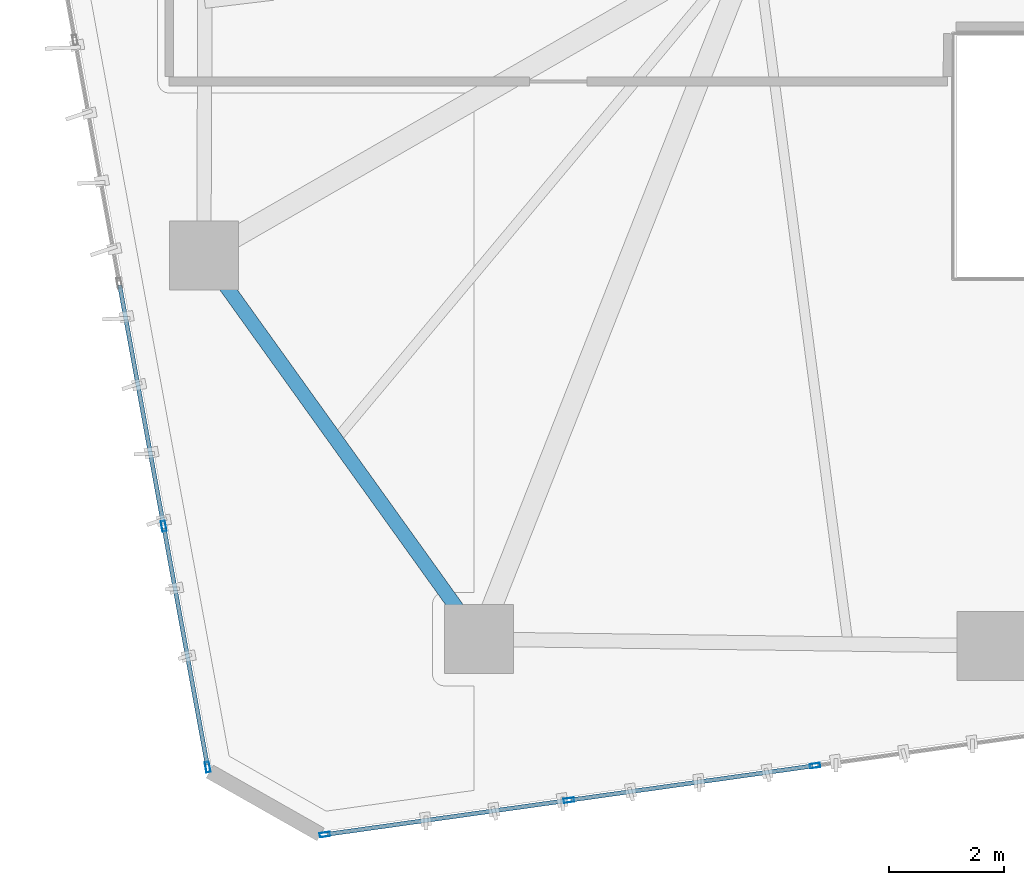
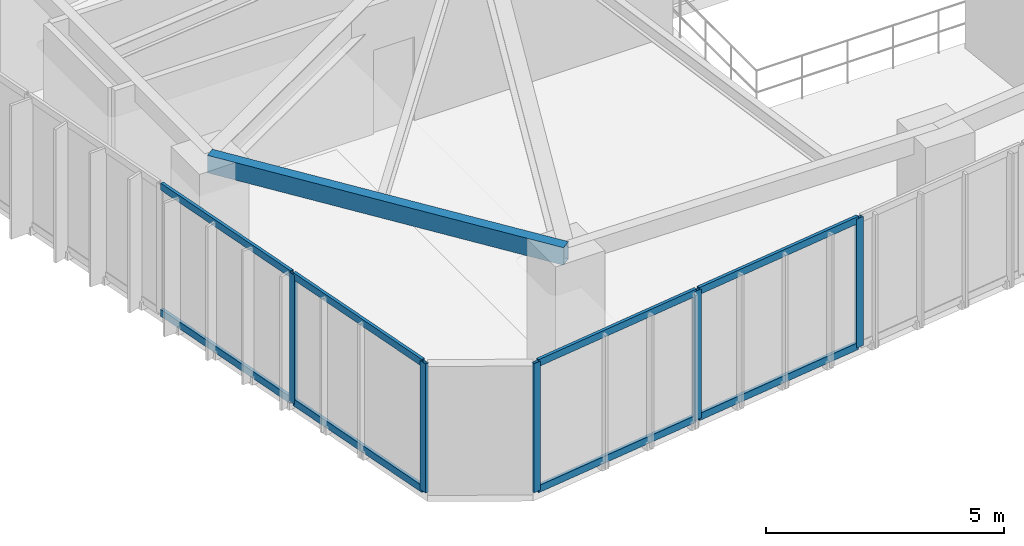
# One storey, part 2 of 24: 13 members, 1 beam, 2 elements without a shape of their own.
"""IFC4 building model written with IfcOpenShell, lengths in metres."""

from ifc_helpers import new_model, si_unit, direction, frame, origin, origin_2d, place, context, subcontext, project, spatial, hollow_rectangle, extrude, source, transform, mapped, material, layer, layer_set, material_profile, profile_set, type_object, type_shapes, element, aggregate, save


model = new_model("IFC4")

# Units and contexts
model_context = context("Model", 3, precision=1e-05, world=origin(), true_north=direction((0.0, 1.0)))
body_context = subcontext(model_context, "Body", "Model", "MODEL_VIEW")
ifc_project = project(units=[si_unit("LENGTHUNIT", "METRE"), si_unit("AREAUNIT", "SQUARE_METRE"), si_unit("VOLUMEUNIT", "CUBIC_METRE"), si_unit("PLANEANGLEUNIT", "RADIAN"), si_unit("MASSUNIT", "GRAM", prefix="KILO")], contexts=[model_context])

# Site, building, storey
site_placement = place(None, origin())
site = spatial("IfcSite", under=ifc_project, at=site_placement, CompositionType="ELEMENT")
building_placement = place(site_placement, origin())
building = spatial("IfcBuilding", under=site, at=building_placement, Name="Talar Marvaseh", CompositionType="ELEMENT")
storey_placement = place(building_placement, frame((0.0, 0.0, 114.60009765625)))
storey = spatial("IfcBuildingStorey", under=building, at=storey_placement, Name="L29", CompositionType="ELEMENT", Elevation=114.60009765625)

# Beam
ifc_material_1 = material(Name="Steel S355", Category="steel")
ifc_material_profile_1 = material_profile(ifc_material_1, hollow_rectangle(XDim=0.25, YDim=0.449951171875, WallThickness=0.01611328125, at=origin_2d()), Name="RHS450x250x16")
ifc_profile_set_1 = profile_set([ifc_material_profile_1], Name="Steel S355")
beam_type = type_object("IfcBeamType", Name="Zone 2 Perimeter Spandrel Beam RHS450x250x16", PredefinedType="SPANDREL", material=ifc_profile_set_1)
beam_placement = place(storey_placement, frame((13.89111328125, 13.299072265625, 3.0849609375), z_axis=(-0.582852871994, 0.812577706812, 0.0), x_axis=(-0.812577706812, -0.582852871994, 0.0)))
element("IfcBeam", 1, at=beam_placement, inside=storey, type_object=beam_type, Name="L29 Zone 2 Perimeter Spandrel Beam RHS450x250x16", PredefinedType="SPANDREL", context=body_context, shape_type="SweptSolid", body=[
    extrude(hollow_rectangle(XDim=0.25, YDim=0.449951171875, WallThickness=0.01611328125, at=origin_2d()), origin(), (0.0, 0.0, 1.0), 8.21826171875),
])

# Curtain wall, members
ifc_material_2 = material(Name="Architectural Aluminium", Category="aluminium")
ifc_layer = layer(ifc_material_2, 0.199951171875)
ifc_layer_set = layer_set([ifc_layer], Name="Architectural Aluminium")
curtain_wall_type = type_object("IfcCurtainWallType", Name="Unitised Acoustic Library Curtain Wall Z2", PredefinedType="NOTDEFINED", material=ifc_layer_set)
curtain_wall_1_placement = place(storey_placement, origin())
curtain_wall_1 = element("IfcCurtainWall", 2, at=curtain_wall_1_placement, inside=storey, type_object=curtain_wall_type, Name="L29 Unitised Acoustic Library Curtain Wall Z2", PredefinedType="NOTDEFINED")
ifc_material_profile_2 = material_profile(ifc_material_2, hollow_rectangle(XDim=0.074951171875, YDim=0.179931640625, WallThickness=0.0048828125, at=origin_2d()), Name="RHS180x75x5")
ifc_profile_set_2 = profile_set([ifc_material_profile_2], Name="Architectural Aluminium")
member_type_1 = type_object("IfcMemberType", Name="Unitised Curtain Wall Transom RHS180x75x5", PredefinedType="USERDEFINED", material=ifc_profile_set_2)
shared_shape_1 = source(origin(), body_context, "Body", "SweptSolid", [
    extrude(hollow_rectangle(XDim=0.074951171875, YDim=0.179931640625, WallThickness=0.0048828125, at=origin_2d()), origin(), (0.0, 0.0, 1.0), 4.185302734375),
])
member_1_placement = place(storey_placement, frame((9.161865234375, 11.112060546875, 0.037353515625), z_axis=(-0.179609193258, 0.98373804323, 0.0), x_axis=(-0.98373804323, -0.179609193258, 0.0)))
member_1 = element("IfcMember", 3, at=member_1_placement, type_object=member_type_1, Name="CW-Z2 transom 1.1", ObjectType="TRANSOM", PredefinedType="USERDEFINED", context=body_context, shape_type="MappedRepresentation", body=[
    mapped(shared_shape_1, transform((0.0, 0.0, 0.0), x_axis=(1.0, 0.0, 0.0), y_axis=(0.0, 1.0, 0.0), z_axis=(0.0, 0.0, 1.0), scale=1.0)),
])
member_2_placement = place(storey_placement, frame((9.161865234375, 11.112060546875, 3.2724609375), z_axis=(-0.179609193258, 0.98373804323, 0.0), x_axis=(-0.98373804323, -0.179609193258, 0.0)))
member_2 = element("IfcMember", 4, at=member_2_placement, type_object=member_type_1, Name="CW-Z2 transom 1.2", ObjectType="TRANSOM", PredefinedType="USERDEFINED", context=body_context, shape_type="MappedRepresentation", body=[
    mapped(shared_shape_1, transform((0.0, 0.0, 0.0), x_axis=(1.0, 0.0, 0.0), y_axis=(0.0, 1.0, 0.0), z_axis=(0.0, 0.0, 1.0), scale=1.0)),
])
shared_shape_2 = source(origin(), body_context, "Body", "SweptSolid", [
    extrude(hollow_rectangle(XDim=0.074951171875, YDim=0.179931640625, WallThickness=0.0048828125, at=origin_2d()), origin(), (0.0, 0.0, 1.0), 4.222900390625),
])
member_3_placement = place(storey_placement, frame((8.396728515625, 15.302978515625, 0.037353515625), z_axis=(-0.179567125955, 0.983745722876, 0.0), x_axis=(-0.983745722876, -0.179567125955, 0.0)))
member_3 = element("IfcMember", 5, at=member_3_placement, type_object=member_type_1, Name="CW-Z2 transom 2.1", ObjectType="TRANSOM", PredefinedType="USERDEFINED", context=body_context, shape_type="MappedRepresentation", body=[
    mapped(shared_shape_2, transform((0.0, 0.0, 0.0), x_axis=(1.0, 0.0, 0.0), y_axis=(0.0, 1.0, 0.0), z_axis=(0.0, 0.0, 1.0), scale=1.0)),
])
member_4_placement = place(storey_placement, frame((8.396728515625, 15.302978515625, 3.2724609375), z_axis=(-0.179567125955, 0.983745722876, 0.0), x_axis=(-0.983745722876, -0.179567125955, 0.0)))
member_4 = element("IfcMember", 6, at=member_4_placement, type_object=member_type_1, Name="CW-Z2 transom 2.2", ObjectType="TRANSOM", PredefinedType="USERDEFINED", context=body_context, shape_type="MappedRepresentation", body=[
    mapped(shared_shape_2, transform((0.0, 0.0, 0.0), x_axis=(1.0, 0.0, 0.0), y_axis=(0.0, 1.0, 0.0), z_axis=(0.0, 0.0, 1.0), scale=1.0)),
])

curtain_wall_2_placement = place(storey_placement, origin())
curtain_wall_2 = element("IfcCurtainWall", 7, at=curtain_wall_2_placement, inside=storey, type_object=curtain_wall_type, Name="L29 Unitised Acoustic Library Curtain Wall Z2", PredefinedType="NOTDEFINED")
shared_shape_3 = source(origin(), body_context, "Body", "SweptSolid", [
    extrude(hollow_rectangle(XDim=0.074951171875, YDim=0.179931640625, WallThickness=0.0048828125, at=origin_2d()), origin(), (0.0, 0.0, 1.0), 4.2109375),
])
member_5_placement = place(storey_placement, frame((15.414794921875, 10.49267578125, 0.037353515625), z_axis=(-0.990247582491, -0.139318790441, 0.0), x_axis=(0.139318790441, -0.990247582491, 0.0)))
member_5 = element("IfcMember", 8, at=member_5_placement, type_object=member_type_1, Name="CW-Z2 transom 5.1", ObjectType="TRANSOM", PredefinedType="USERDEFINED", context=body_context, shape_type="MappedRepresentation", body=[
    mapped(shared_shape_3, transform((0.0, 0.0, 0.0), x_axis=(1.0, 0.0, 0.0), y_axis=(0.0, 1.0, 0.0), z_axis=(0.0, 0.0, 1.0), scale=1.0)),
])
member_6_placement = place(storey_placement, frame((15.414794921875, 10.49267578125, 3.2724609375), z_axis=(-0.990247582491, -0.139318790441, 0.0), x_axis=(0.139318790441, -0.990247582491, 0.0)))
member_6 = element("IfcMember", 9, at=member_6_placement, type_object=member_type_1, Name="CW-Z2 transom 5.2", ObjectType="TRANSOM", PredefinedType="USERDEFINED", context=body_context, shape_type="MappedRepresentation", body=[
    mapped(shared_shape_3, transform((0.0, 0.0, 0.0), x_axis=(1.0, 0.0, 0.0), y_axis=(0.0, 1.0, 0.0), z_axis=(0.0, 0.0, 1.0), scale=1.0)),
])
shared_shape_4 = source(origin(), body_context, "Body", "SweptSolid", [
    extrude(hollow_rectangle(XDim=0.074951171875, YDim=0.179931640625, WallThickness=0.0048828125, at=origin_2d()), origin(), (0.0, 0.0, 1.0), 4.248779296875),
])
type_shapes(member_type_1, [shared_shape_1, shared_shape_2, shared_shape_3, shared_shape_4])
member_7_placement = place(storey_placement, frame((19.6962890625, 11.09521484375, 0.037353515625), z_axis=(-0.990243822151, -0.139345515506, 0.0), x_axis=(0.139345515506, -0.990243822151, 0.0)))
member_7 = element("IfcMember", 10, at=member_7_placement, type_object=member_type_1, Name="CW-Z2 transom 4.1", ObjectType="TRANSOM", PredefinedType="USERDEFINED", context=body_context, shape_type="MappedRepresentation", body=[
    mapped(shared_shape_4, transform((0.0, 0.0, 0.0), x_axis=(1.0, 0.0, 0.0), y_axis=(0.0, 1.0, 0.0), z_axis=(0.0, 0.0, 1.0), scale=1.0)),
])
member_8_placement = place(storey_placement, frame((19.6962890625, 11.09521484375, 3.2724609375), z_axis=(-0.990243822151, -0.139345515506, 0.0), x_axis=(0.139345515506, -0.990243822151, 0.0)))
member_8 = element("IfcMember", 11, at=member_8_placement, type_object=member_type_1, Name="CW-Z2 transom 4.2", ObjectType="TRANSOM", PredefinedType="USERDEFINED", context=body_context, shape_type="MappedRepresentation", body=[
    mapped(shared_shape_4, transform((0.0, 0.0, 0.0), x_axis=(1.0, 0.0, 0.0), y_axis=(0.0, 1.0, 0.0), z_axis=(0.0, 0.0, 1.0), scale=1.0)),
])

# Member
ifc_material_profile_3 = material_profile(ifc_material_2, hollow_rectangle(XDim=0.074951171875, YDim=0.179931640625, WallThickness=0.0048828125, at=origin_2d()), Name="RHS180x75x5")
ifc_profile_set_3 = profile_set([ifc_material_profile_3], Name="Architectural Aluminium")
member_type_2 = type_object("IfcMemberType", Name="Unitised Curtain Wall Standard Mullion RHS180x75x5", PredefinedType="MULLION", material=ifc_profile_set_3)
shared_shape_5 = source(origin(), body_context, "Body", "SweptSolid", [
    extrude(hollow_rectangle(XDim=0.074951171875, YDim=0.179931640625, WallThickness=0.0048828125, at=origin_2d()), origin(), (0.0, 0.0, 1.0), 3.309814453125),
])
type_shapes(member_type_2, [shared_shape_5])
member_9_placement = place(storey_placement, frame((9.168701171875, 11.0751953125, 0.0), z_axis=(0.0, 0.0, 1.0), x_axis=(-0.983740753921, -0.179594345885, 0.0)))
member_9 = element("IfcMember", 12, at=member_9_placement, type_object=member_type_2, Name="CW-Z2 mullion 1", PredefinedType="MULLION", context=body_context, shape_type="MappedRepresentation", body=[
    mapped(shared_shape_5, transform((0.0, 0.0, 0.0), x_axis=(1.0, 0.0, 0.0), y_axis=(0.0, 1.0, 0.0), z_axis=(0.0, 0.0, 1.0), scale=1.0)),
])

member_10_placement = place(storey_placement, frame((8.403564453125, 15.26611328125, 0.0), z_axis=(0.0, 0.0, 1.0), x_axis=(-0.983740753921, -0.179594345885, 0.0)))
member_10 = element("IfcMember", 13, at=member_10_placement, type_object=member_type_2, Name="CW-Z2 mullion 2", PredefinedType="MULLION", context=body_context, shape_type="MappedRepresentation", body=[
    mapped(shared_shape_5, transform((0.0, 0.0, 0.0), x_axis=(1.0, 0.0, 0.0), y_axis=(0.0, 1.0, 0.0), z_axis=(0.0, 0.0, 1.0), scale=1.0)),
])

aggregate(curtain_wall_1, [member_9, member_10, member_1, member_2, member_3, member_4])

member_11_placement = place(storey_placement, frame((19.7333984375, 11.100341796875, 0.0), z_axis=(0.0, 0.0, 1.0), x_axis=(0.139325353633, -0.990246659088, 0.0)))
member_11 = element("IfcMember", 14, at=member_11_placement, type_object=member_type_2, Name="CW-Z2 mullion 4", PredefinedType="MULLION", context=body_context, shape_type="MappedRepresentation", body=[
    mapped(shared_shape_5, transform((0.0, 0.0, 0.0), x_axis=(1.0, 0.0, 0.0), y_axis=(0.0, 1.0, 0.0), z_axis=(0.0, 0.0, 1.0), scale=1.0)),
])

member_12_placement = place(storey_placement, frame((15.451904296875, 10.498046875, 0.0), z_axis=(0.0, 0.0, 1.0), x_axis=(0.139325353633, -0.990246659088, 0.0)))
member_12 = element("IfcMember", 15, at=member_12_placement, type_object=member_type_2, Name="CW-Z2 mullion 5", PredefinedType="MULLION", context=body_context, shape_type="MappedRepresentation", body=[
    mapped(shared_shape_5, transform((0.0, 0.0, 0.0), x_axis=(1.0, 0.0, 0.0), y_axis=(0.0, 1.0, 0.0), z_axis=(0.0, 0.0, 1.0), scale=1.0)),
])

member_13_placement = place(storey_placement, frame((11.207763671875, 9.90087890625, 0.0), z_axis=(0.0, 0.0, 1.0), x_axis=(0.139325353633, -0.990246659088, 0.0)))
member_13 = element("IfcMember", 16, at=member_13_placement, type_object=member_type_2, Name="CW-Z2 mullion 6", PredefinedType="MULLION", context=body_context, shape_type="MappedRepresentation", body=[
    mapped(shared_shape_5, transform((0.0, 0.0, 0.0), x_axis=(1.0, 0.0, 0.0), y_axis=(0.0, 1.0, 0.0), z_axis=(0.0, 0.0, 1.0), scale=1.0)),
])

aggregate(curtain_wall_2, [member_11, member_12, member_13, member_7, member_8, member_5, member_6])

save(model, "model.ifc")
